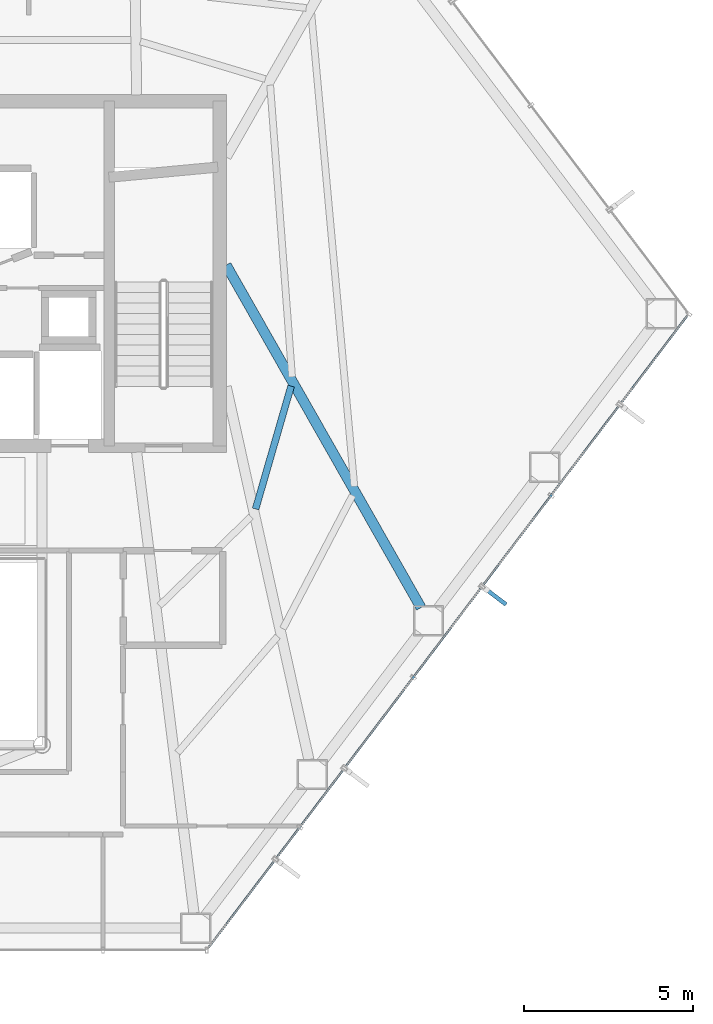
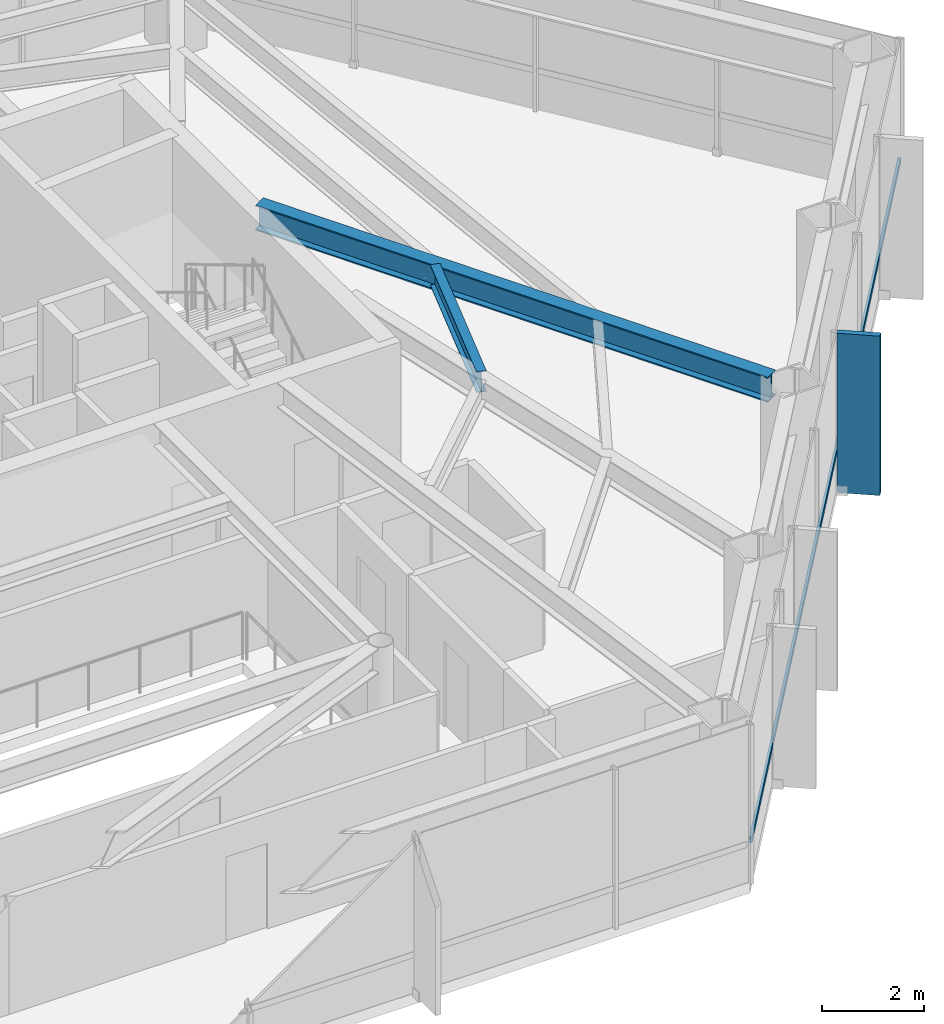
# One storey, part 15 of 24: 2 beams, 2 members, 1 element without a shape of its own.
"""IFC4 building model written with IfcOpenShell, lengths in metres."""

from ifc_helpers import new_model, si_unit, direction, frame, origin, origin_2d, place, context, subcontext, project, spatial, rectangle, hollow_rectangle, i_section, extrude, material, layer, layer_set, material_profile, profile_set, type_object, element, aggregate, save


model = new_model("IFC4")

# Units and contexts
model_context = context("Model", 3, precision=1e-05, world=origin(), true_north=direction((0.0, 1.0)))
body_context = subcontext(model_context, "Body", "Model", "MODEL_VIEW")
ifc_project = project(units=[si_unit("LENGTHUNIT", "METRE"), si_unit("AREAUNIT", "SQUARE_METRE"), si_unit("VOLUMEUNIT", "CUBIC_METRE"), si_unit("PLANEANGLEUNIT", "RADIAN"), si_unit("MASSUNIT", "GRAM", prefix="KILO")], contexts=[model_context])

# Site, building, storey
site_placement = place(None, origin())
site = spatial("IfcSite", under=ifc_project, at=site_placement, CompositionType="ELEMENT")
building_placement = place(site_placement, origin())
building = spatial("IfcBuilding", under=site, at=building_placement, Name="Zarrinselat Tower", CompositionType="ELEMENT")
storey_placement = place(building_placement, frame((0.0, 0.0, 100.97998046875)))
storey = spatial("IfcBuildingStorey", under=building, at=storey_placement, Name="L24", CompositionType="ELEMENT", Elevation=100.97998046875)

# Beams
ifc_material_1 = material(Name="Steel S355J2", Category="steel")
ifc_material_profile_1 = material_profile(ifc_material_1, i_section(OverallWidth=0.300048828125, OverallDepth=0.60009765625, WebThickness=0.015380859375, FlangeThickness=0.030029296875, at=origin_2d()), Name="HEB 600")
ifc_profile_set_1 = profile_set([ifc_material_profile_1], Name="Steel S355J2")
beam_type_1 = type_object("IfcBeamType", Name="BM-HEB600", PredefinedType="BEAM", material=ifc_profile_set_1)
beam_1_placement = place(storey_placement, frame((48.449951171875, 38.60009765625, 3.52001953125), z_axis=(0.494316490871, -0.869282006516, 0.0), x_axis=(0.869282006516, 0.494316490871, 0.0)))
element("IfcBeam", 1, at=beam_1_placement, inside=storey, type_object=beam_type_1, Name="L24 Radial Primary Girder RG13", PredefinedType="BEAM", context=body_context, shape_type="SweptSolid", body=[
    extrude(i_section(OverallWidth=0.300048828125, OverallDepth=0.60009765625, WebThickness=0.015380859375, FlangeThickness=0.030029296875, at=origin_2d()), origin(), (0.0, 0.0, 1.0), 11.663818359375),
])
ifc_material_2 = material(Name="Steel S355J2", Category="steel")
ifc_material_profile_2 = material_profile(ifc_material_2, i_section(OverallWidth=0.199951171875, OverallDepth=0.5, WebThickness=0.01025390625, FlangeThickness=0.01611328125, at=origin_2d()), Name="IPE 500")
ifc_profile_set_2 = profile_set([ifc_material_profile_2], Name="Steel S355J2")
beam_type_2 = type_object("IfcBeamType", Name="BM-IPE500", PredefinedType="JOIST", material=ifc_profile_set_2)
beam_2_placement = place(storey_placement, frame((49.32080078125, 31.382080078125, 3.570068359375), z_axis=(0.277556851644, 0.960709214125, 0.0), x_axis=(-0.960709214125, 0.277556851644, 0.0)))
element("IfcBeam", 2, at=beam_2_placement, inside=storey, type_object=beam_type_2, Name="L24 Composite Floor Joist 4-2", PredefinedType="JOIST", context=body_context, shape_type="SweptSolid", body=[
    extrude(i_section(OverallWidth=0.199951171875, OverallDepth=0.5, WebThickness=0.01025390625, FlangeThickness=0.01611328125, at=origin_2d()), origin(), (0.0, 0.0, 1.0), 3.784912109375),
])

# Curtain wall, members
ifc_material_3 = material(Name="Extruded Aluminium Alloy EN AW-6063 T6", Category="aluminium")
ifc_layer = layer(ifc_material_3, 0.18505859375)
ifc_layer_set = layer_set([ifc_layer], Name="Extruded Aluminium Alloy EN AW-6063 T6")
curtain_wall_type = type_object("IfcCurtainWallType", Name="CWS-OFF", PredefinedType="NOTDEFINED", material=ifc_layer_set)
curtain_wall_placement = place(storey_placement, origin())
curtain_wall = element("IfcCurtainWall", 3, at=curtain_wall_placement, inside=storey, type_object=curtain_wall_type, Name="L24 Unitised Curtain Wall CW-L24-E05", PredefinedType="NOTDEFINED")
ifc_material_4 = material(Name="Extruded Aluminium Alloy EN AW-6063 T6", Category="aluminium")
ifc_material_profile_3 = material_profile(ifc_material_4, hollow_rectangle(XDim=0.06005859375, YDim=0.139892578125, WallThickness=0.00390625, at=origin_2d()), Name="RHS 140x60x4")
ifc_profile_set_3 = profile_set([ifc_material_profile_3], Name="Extruded Aluminium Alloy EN AW-6063 T6")
member_type_1 = type_object("IfcMemberType", Name="MEM-CW-TRN", PredefinedType="USERDEFINED", material=ifc_profile_set_3)
member_1_placement = place(storey_placement, frame((47.92822265625, 18.397216796875, 0.949951171875), z_axis=(0.603857687995, 0.797092148154, 0.0), x_axis=(-0.797092148154, 0.603857687995, 0.0)))
member_1 = element("IfcMember", 4, at=member_1_placement, type_object=member_type_1, Name="CW-L24-E05 Transom 1", ObjectType="TRANSOM", PredefinedType="USERDEFINED", context=body_context, shape_type="SweptSolid", body=[
    extrude(hollow_rectangle(XDim=0.06005859375, YDim=0.139892578125, WallThickness=0.00390625, at=origin_2d()), origin(), (0.0, 0.0, 1.0), 23.449462890625),
])
ifc_material_5 = material(Name="Honed Cream Travertine Stone", Category="masonry")
ifc_material_profile_4 = material_profile(ifc_material_5, rectangle(XDim=0.1201171875, YDim=0.85009765625, at=origin_2d()), Name="FIN 850x120")
ifc_profile_set_4 = profile_set([ifc_material_profile_4], Name="Honed Cream Travertine Stone")
member_type_2 = type_object("IfcMemberType", Name="MEM-STONE-FIN", PredefinedType="USERDEFINED", material=ifc_profile_set_4)
member_2_placement = place(storey_placement, frame((56.394287109375, 28.810546875, 0.0), z_axis=(0.0, 0.0, 1.0), x_axis=(-0.603858013909, -0.79709190125, 0.0)))
member_2 = element("IfcMember", 5, at=member_2_placement, type_object=member_type_2, Name="L24 Stone Shading Fin CW-L24-E05-05", ObjectType="FIN", PredefinedType="USERDEFINED", context=body_context, shape_type="SweptSolid", body=[
    extrude(rectangle(XDim=0.1201171875, YDim=0.85009765625, at=origin_2d()), origin(), (0.0, 0.0, 1.0), 3.820068359375),
])
aggregate(curtain_wall, [member_2, member_1])

save(model, "model.ifc")
